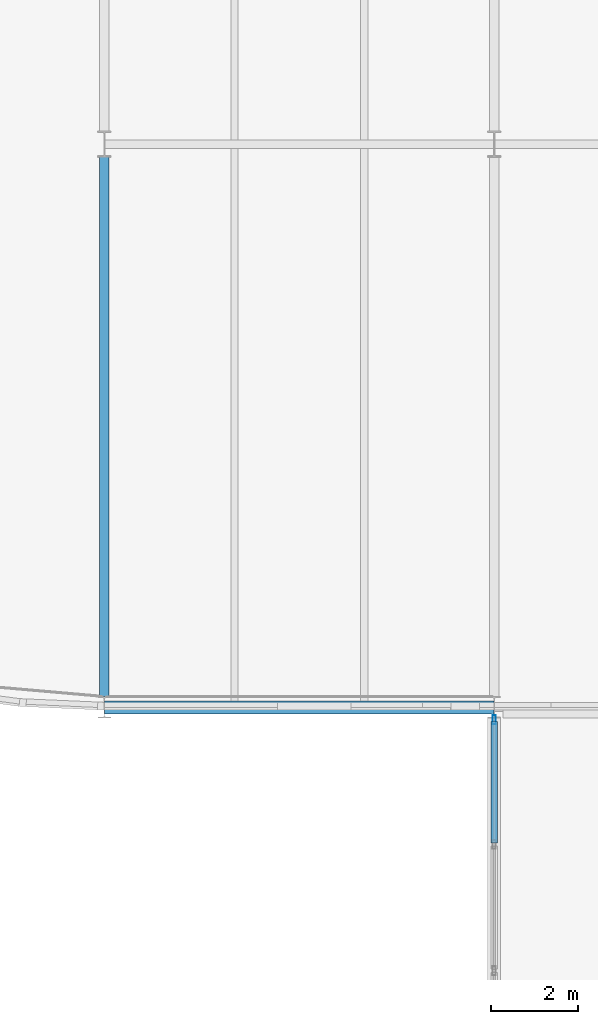
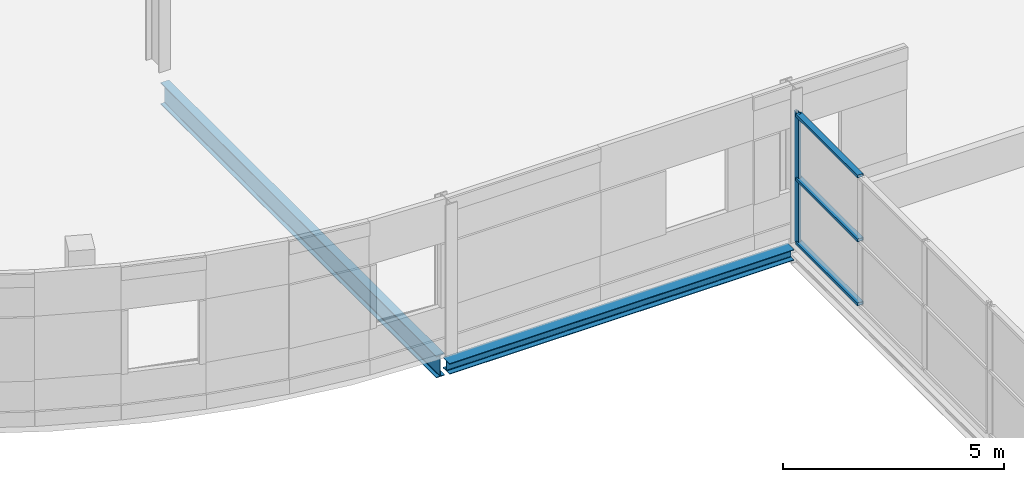
# One storey, part 29 of 88: 4 members, 2 beams, 1 element without a shape of its own.
"""IFC4 building model written with IfcOpenShell, lengths in metres."""

from ifc_helpers import new_model, si_unit, direction, frame, origin, origin_2d, place, context, subcontext, project, spatial, hollow_rectangle, i_section, extrude, material, layer, layer_set, material_profile, profile_set, type_object, element, aggregate, save


model = new_model("IFC4")

# Units and contexts
model_context = context("Model", 3, precision=1e-05, world=origin(), true_north=direction((0.0, 1.0)))
body_context = subcontext(model_context, "Body", "Model", "MODEL_VIEW")
ifc_project = project(units=[si_unit("LENGTHUNIT", "METRE"), si_unit("AREAUNIT", "SQUARE_METRE"), si_unit("VOLUMEUNIT", "CUBIC_METRE"), si_unit("PLANEANGLEUNIT", "RADIAN"), si_unit("MASSUNIT", "GRAM", prefix="KILO")], contexts=[model_context])

# Site, building, storey
site_placement = place(None, origin())
site = spatial("IfcSite", under=ifc_project, at=site_placement, CompositionType="ELEMENT")
building_placement = place(site_placement, origin())
building = spatial("IfcBuilding", under=site, at=building_placement, Name="Deido Ridge Mobility Hub", CompositionType="ELEMENT")
storey_placement = place(building_placement, frame((0.0, 0.0, 16.800048828125)))
storey = spatial("IfcBuildingStorey", under=building, at=storey_placement, Name="L04", CompositionType="ELEMENT", Elevation=16.800048828125)

# Beam
ifc_material_1 = material(Name="Steel S355J2 EN 10025-2", Category="steel")
ifc_material_profile_1 = material_profile(ifc_material_1, i_section(OverallWidth=0.219970703125, OverallDepth=0.60009765625, WebThickness=0.011962890625, FlangeThickness=0.01904296875, FilletRadius=0.02392578125, at=origin_2d()), Name="IPE 600")
ifc_profile_set_1 = profile_set([ifc_material_profile_1], Name="Steel S355J2 EN 10025-2")
beam_type_1 = type_object("IfcBeamType", Name="BM-IPE600", PredefinedType="BEAM", material=ifc_profile_set_1)
beam_1_placement = place(storey_placement, frame((45.0, 81.25, -0.574951171875), z_axis=(0.0, 1.0, 0.0), x_axis=(-1.0, 0.0, 0.0)))
element("IfcBeam", 1, at=beam_1_placement, inside=storey, type_object=beam_type_1, Name="Floor beam B1", PredefinedType="BEAM", context=body_context, shape_type="SweptSolid", body=[
    extrude(i_section(OverallWidth=0.219970703125, OverallDepth=0.60009765625, WebThickness=0.011962890625, FlangeThickness=0.01904296875, FilletRadius=0.02392578125, at=origin_2d()), origin(), (0.0, 0.0, 1.0), 12.449951171875),
])

# Curtain wall, members
ifc_material_2 = material(Name="Anodised aluminium EN AW-6063 T6", Category="aluminium")
ifc_layer = layer(ifc_material_2, 0.239990234375, Name="Anodised aluminium EN AW-6063 T6")
ifc_layer_set = layer_set([ifc_layer], Name="Anodised aluminium EN AW-6063 T6")
curtain_wall_type = type_object("IfcCurtainWallType", Name="CW-UF-6", PredefinedType="USERDEFINED", material=ifc_layer_set)
curtain_wall_placement = place(storey_placement, origin())
curtain_wall = element("IfcCurtainWall", 2, at=curtain_wall_placement, inside=storey, type_object=curtain_wall_type, Name="Unitised curtain wall CW6", ObjectType="UNITISED FACADE", PredefinedType="USERDEFINED")
ifc_material_profile_2 = material_profile(ifc_material_2, hollow_rectangle(XDim=0.074951171875, YDim=0.205078125, WallThickness=0.00390625, at=origin_2d()), Name="RHS 75x205x4")
ifc_profile_set_2 = profile_set([ifc_material_profile_2], Name="Anodised aluminium EN AW-6063 T6")
member_type_1 = type_object("IfcMemberType", Name="MEM-MUL-75X205", PredefinedType="MULLION", material=ifc_profile_set_2)
member_1_placement = place(storey_placement, frame((54.0, 80.71240234375, 0.0), z_axis=(0.0, 0.0, 1.0), x_axis=(-1.0, 0.0, 0.0)))
member_1 = element("IfcMember", 3, at=member_1_placement, type_object=member_type_1, Name="CW6 mullion 4", PredefinedType="MULLION", context=body_context, shape_type="SweptSolid", body=[
    extrude(hollow_rectangle(XDim=0.074951171875, YDim=0.205078125, WallThickness=0.00390625, at=origin_2d()), origin(), (0.0, 0.0, 1.0), 3.599853515625),
])
ifc_material_profile_3 = material_profile(ifc_material_2, hollow_rectangle(XDim=0.155029296875, YDim=0.074951171875, WallThickness=0.00390625, at=origin_2d()), Name="RHS 155x75x4")
ifc_profile_set_3 = profile_set([ifc_material_profile_3], Name="Anodised aluminium EN AW-6063 T6")
member_type_2 = type_object("IfcMemberType", Name="MEM-TRN-155X75", PredefinedType="USERDEFINED", material=ifc_profile_set_3)
member_2_placement = place(storey_placement, frame((54.0, 77.870849609375, 0.037353515625), z_axis=(0.0, 1.0, 0.0), x_axis=(-1.0, 0.0, 0.0)))
member_2 = element("IfcMember", 4, at=member_2_placement, type_object=member_type_2, Name="CW6 transom 3.1", ObjectType="TRANSOM", PredefinedType="USERDEFINED", context=body_context, shape_type="SweptSolid", body=[
    extrude(hollow_rectangle(XDim=0.155029296875, YDim=0.074951171875, WallThickness=0.00390625, at=origin_2d()), origin(), (0.0, 0.0, 1.0), 2.80419921875),
])
member_3_placement = place(storey_placement, frame((54.0, 77.870849609375, 1.800048828125), z_axis=(0.0, 1.0, 0.0), x_axis=(-1.0, 0.0, 0.0)))
member_3 = element("IfcMember", 5, at=member_3_placement, type_object=member_type_2, Name="CW6 transom 3.2", ObjectType="TRANSOM", PredefinedType="USERDEFINED", context=body_context, shape_type="SweptSolid", body=[
    extrude(hollow_rectangle(XDim=0.155029296875, YDim=0.074951171875, WallThickness=0.00390625, at=origin_2d()), origin(), (0.0, 0.0, 1.0), 2.80419921875),
])
member_4_placement = place(storey_placement, frame((54.0, 77.870849609375, 3.5625), z_axis=(0.0, 1.0, 0.0), x_axis=(-1.0, 0.0, 0.0)))
member_4 = element("IfcMember", 6, at=member_4_placement, type_object=member_type_2, Name="CW6 transom 3.3", ObjectType="TRANSOM", PredefinedType="USERDEFINED", context=body_context, shape_type="SweptSolid", body=[
    extrude(hollow_rectangle(XDim=0.155029296875, YDim=0.074951171875, WallThickness=0.00390625, at=origin_2d()), origin(), (0.0, 0.0, 1.0), 2.80419921875),
])
aggregate(curtain_wall, [member_1, member_2, member_3, member_4])

# Beam
ifc_material_profile_4 = material_profile(ifc_material_1, i_section(OverallWidth=0.300048828125, OverallDepth=0.300048828125, WebThickness=0.010986328125, FlangeThickness=0.01904296875, FilletRadius=0.027099609375, at=origin_2d()), Name="HEB 300")
ifc_profile_set_4 = profile_set([ifc_material_profile_4], Name="Steel S355J2 EN 10025-2")
beam_type_2 = type_object("IfcBeamType", Name="SPD-HEB300", PredefinedType="SPANDREL", material=ifc_profile_set_4)
beam_2_placement = place(storey_placement, frame((45.007080078125, 81.0, -0.425048828125), z_axis=(1.0, 0.0, 0.0), x_axis=(0.0, 1.0, 0.0)))
element("IfcBeam", 7, at=beam_2_placement, inside=storey, type_object=beam_type_2, Name="Floor beam SP1", PredefinedType="SPANDREL", context=body_context, shape_type="SweptSolid", body=[
    extrude(i_section(OverallWidth=0.300048828125, OverallDepth=0.300048828125, WebThickness=0.010986328125, FlangeThickness=0.01904296875, FilletRadius=0.027099609375, at=origin_2d()), origin(), (0.0, 0.0, 1.0), 8.98583984375),
])

save(model, "model.ifc")
